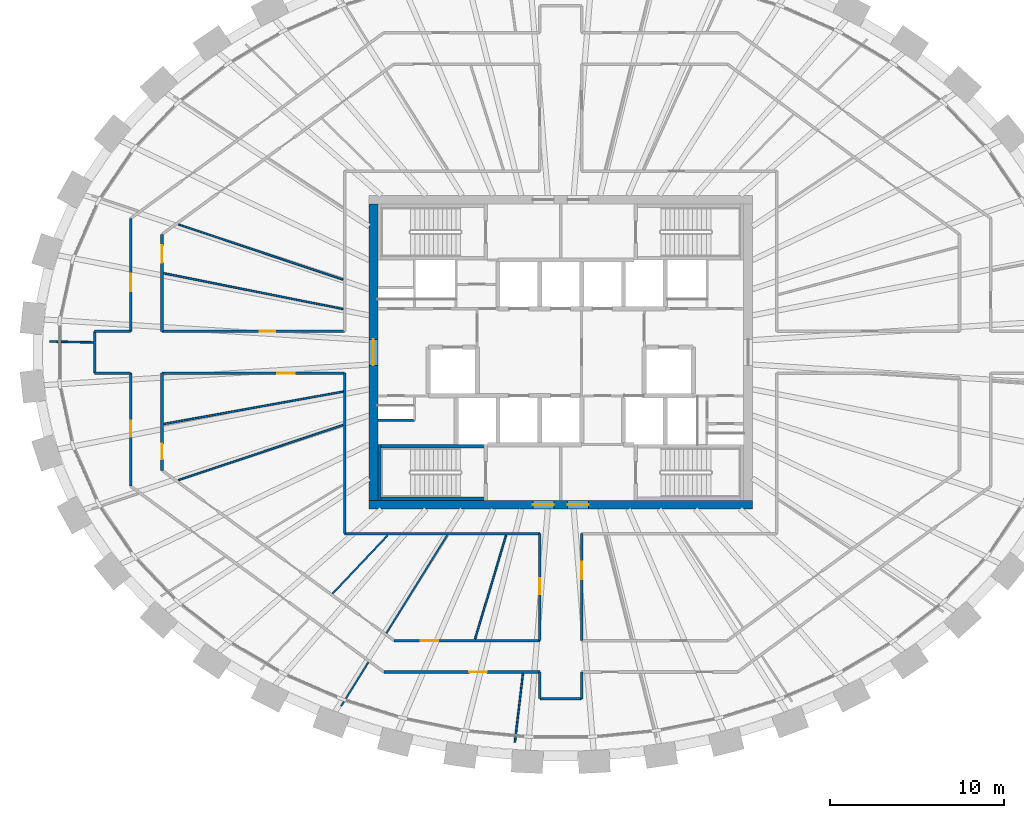
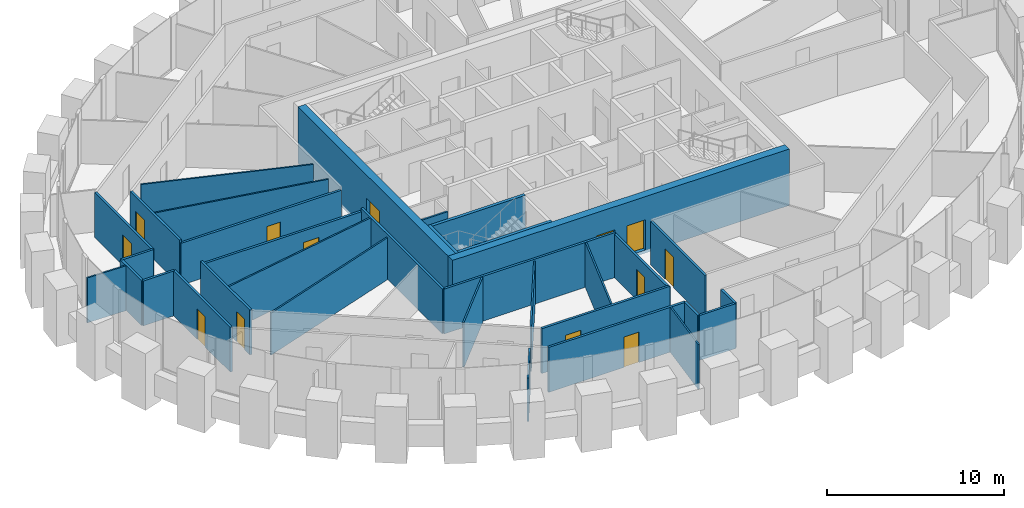
# One storey, part 6 of 12: 34 walls, 13 doors, 13 openings.
"""IFC4 building model written with IfcOpenShell, lengths in metres."""

import ifcopenshell
import ifcopenshell.guid

model = None  # the IFC model being written
_history = None  # IfcOwnerHistory: only IFC2X3 demands one
_inside = {}  # id of a spatial element -> (the spatial element, [elements in it])
_under = {}  # id of a project, library or spatial element -> (it, [spatial elements below it])
_declared = {}  # id of a project -> (the project, [libraries it declares])
_typed = {}  # id of a type object -> (the type object, [elements of that type])
_made_of = {}  # id of a material, layer set ... -> (it, [elements and type objects made of it])


def new_model(schema):
    """Start an empty IFC model of exactly this schema.

    Asked for "IFC4X3", IfcOpenShell would pick the latest addendum, in which some entities
    have other attributes; the version numbers below select the first issue.
    IFC2X3 requires an IfcOwnerHistory on every rooted entity: one is made here for all.
    """
    global model, _history
    if schema == "IFC4X3":
        model = ifcopenshell.file(schema_version=(4, 3, 0, 0))
    else:
        model = ifcopenshell.file(schema=schema)
    _inside.clear()
    _under.clear()
    _declared.clear()
    _typed.clear()
    _made_of.clear()
    _history = None
    if model.schema == "IFC2X3":
        org = make("IfcOrganization", Name="unknown")
        user = make(
            "IfcPersonAndOrganization",
            ThePerson=make("IfcPerson", FamilyName="unknown"),
            TheOrganization=org,
        )
        app = make(
            "IfcApplication",
            ApplicationDeveloper=org,
            Version="unknown",
            ApplicationFullName="unknown",
            ApplicationIdentifier="unknown",
        )
        _history = make(
            "IfcOwnerHistory",
            OwningUser=user,
            OwningApplication=app,
            ChangeAction="ADDED",
            CreationDate=0,
        )
    return model


def make(cls, **values):
    """One entity of the class cls with the attributes given. An attribute that is None is left unset."""
    return model.create_entity(
        cls, **{name: value for name, value in values.items() if value is not None}
    )


def rooted(cls, **values):
    """An entity with a GlobalId (a new one), such as an element, a storey or a relation."""
    return make(cls, GlobalId=ifcopenshell.guid.new(), OwnerHistory=_history, **values)


def si_unit(unit_type, name, prefix=None):
    """IfcSIUnit, for example si_unit("LENGTHUNIT", "METRE", prefix="MILLI")."""
    return make("IfcSIUnit", UnitType=unit_type, Prefix=prefix, Name=name)


def assignment(units):
    """IfcUnitAssignment: the units of a project."""
    return None if units is None else make("IfcUnitAssignment", Units=units)


def point(xyz):
    """IfcCartesianPoint."""
    return None if xyz is None else make("IfcCartesianPoint", Coordinates=xyz)


def direction(xyz):
    """IfcDirection."""
    return None if xyz is None else make("IfcDirection", DirectionRatios=xyz)


def frame(location, z_axis=None, x_axis=None):
    """IfcAxis2Placement3D, a coordinate frame: its origin and axes. An axis left out is left unset."""
    return make(
        "IfcAxis2Placement3D",
        Location=point(location),
        Axis=direction(z_axis),
        RefDirection=direction(x_axis),
    )


def frame_2d(location, x_axis=None):
    """IfcAxis2Placement2D, a coordinate frame in the plane: its origin and x axis."""
    return make(
        "IfcAxis2Placement2D", Location=point(location), RefDirection=direction(x_axis)
    )


def origin():
    """The frame at (0, 0, 0) with its axes left unset."""
    return frame((0.0, 0.0, 0.0))


def place(relative_to, where):
    """IfcLocalPlacement: puts the frame where relative to a parent placement (None: the world)."""
    return make(
        "IfcLocalPlacement", PlacementRelTo=relative_to, RelativePlacement=where
    )


def context(
    kind, dimensions, precision=None, world=None, true_north=None, identifier=None
):
    """IfcGeometricRepresentationContext, for example the 3D "Model" context."""
    return make(
        "IfcGeometricRepresentationContext",
        ContextIdentifier=identifier,
        ContextType=kind,
        CoordinateSpaceDimension=dimensions,
        Precision=precision,
        WorldCoordinateSystem=world,
        TrueNorth=true_north,
    )


def subcontext(parent, identifier, kind, view, scale=None):
    """IfcGeometricRepresentationSubContext, for example "Body" below "Model"."""
    return make(
        "IfcGeometricRepresentationSubContext",
        ContextIdentifier=identifier,
        ContextType=kind,
        ParentContext=parent,
        TargetScale=scale,
        TargetView=view,
    )


def project(units=None, contexts=None):
    """IfcProject with its units and contexts."""
    return rooted(
        "IfcProject",
        Name="project",
        RepresentationContexts=contexts,
        UnitsInContext=assignment(units),
    )


def spatial(cls, under=None, at=None, **own):
    """A site, building, storey or space (cls), placed at a placement, below another one or the project."""
    s = rooted(cls, ObjectPlacement=at, **own)
    if under is not None:
        _under.setdefault(under.id(), (under, []))[1].append(s)
    return s


def profile(cls, at=None, kind="AREA", **sizes):
    """A parametric profile (cls). Its sizes go by their IFC names, for example OverallWidth=200.0."""
    return make(cls, ProfileType=kind, Position=at, **sizes)


def rectangle(**sizes):
    """IfcRectangleProfileDef."""
    return profile("IfcRectangleProfileDef", **sizes)


def extrude(swept, where, along, depth):
    """IfcExtrudedAreaSolid: the profile swept, set in the frame where, extruded along a direction by depth."""
    return make(
        "IfcExtrudedAreaSolid",
        SweptArea=swept,
        Position=where,
        ExtrudedDirection=direction(along),
        Depth=depth,
    )


def shape(context_of_items, identifier, shape_type, items):
    """IfcShapeRepresentation: the items that make up one representation, for example the "Body"."""
    return make(
        "IfcShapeRepresentation",
        ContextOfItems=context_of_items,
        RepresentationIdentifier=identifier,
        RepresentationType=shape_type,
        Items=items,
    )


def source(mapping_origin, context_of_items, identifier, shape_type, items):
    """IfcRepresentationMap: a shape defined once, which mapped items show again and again."""
    return make(
        "IfcRepresentationMap",
        MappingOrigin=mapping_origin,
        MappedRepresentation=shape(context_of_items, identifier, shape_type, items),
    )


def transform(
    local_origin,
    x_axis=None,
    y_axis=None,
    z_axis=None,
    scale=None,
    scale2=None,
    scale3=None,
    uniform=True,
):
    """IfcCartesianTransformationOperator3D, or its non-uniform kind. x_axis, y_axis, z_axis: its Axis1, 2, 3."""
    if uniform:
        return make(
            "IfcCartesianTransformationOperator3D",
            Axis1=direction(x_axis),
            Axis2=direction(y_axis),
            LocalOrigin=point(local_origin),
            Scale=scale,
            Axis3=direction(z_axis),
        )
    return make(
        "IfcCartesianTransformationOperator3DnonUniform",
        Axis1=direction(x_axis),
        Axis2=direction(y_axis),
        LocalOrigin=point(local_origin),
        Scale=scale,
        Axis3=direction(z_axis),
        Scale2=scale2,
        Scale3=scale3,
    )


def mapped(mapping_source, mapping_target):
    """IfcMappedItem: shows the shape of a source again, moved by a transform."""
    return make(
        "IfcMappedItem", MappingSource=mapping_source, MappingTarget=mapping_target
    )


def material(Name=None, Category=None):
    """IfcMaterial."""
    return make("IfcMaterial", Name=Name, Category=Category)


def layer(
    of_material, thickness, ventilated=None, Name=None, Category=None, Priority=None
):
    """IfcMaterialLayer: one layer of a wall or slab, of a material (None: an air gap)."""
    return make(
        "IfcMaterialLayer",
        Material=of_material,
        LayerThickness=thickness,
        IsVentilated=ventilated,
        Name=Name,
        Category=Category,
        Priority=Priority,
    )


def layer_set(layers, Name=None):
    """IfcMaterialLayerSet."""
    return make("IfcMaterialLayerSet", MaterialLayers=layers, LayerSetName=Name)


def made_of(thing, what):
    """Note that an element or type object is made of a material, layer set ...; save() writes the relation."""
    if what is not None:
        _made_of.setdefault(what.id(), (what, []))[1].append(thing)
    return thing


def type_object(cls, material=None, **own):
    """A type object (cls), such as IfcWallType, which elements share."""
    return made_of(rooted(cls, **own), material)


def element(
    cls,
    number,
    at=None,
    inside=None,
    cuts=None,
    type_object=None,
    material=None,
    context=None,
    identifier="Body",
    shape_type=None,
    held_by="IfcProductDefinitionShape",
    body=None,
    shapes=None,
    **own,
):
    """One element of the class cls, such as IfcWall. Its Tag is "e" and its number.

    at: its placement. inside: the storey or other place that contains it. cuts: it is an
    opening in that element (IfcRelVoidsElement). A single representation is given by context,
    identifier, shape_type and body (its items); several are given by shapes. held_by: the class
    of the entity that holds the representations. save() writes the other relations.
    """
    e = rooted(cls, Tag="e%d" % number, ObjectPlacement=at, **own)
    if body is not None:
        shapes = [shape(context, identifier, shape_type, body)]
    if shapes is not None:
        e.Representation = make(held_by, Representations=shapes)
    if inside is not None:
        _inside.setdefault(inside.id(), (inside, []))[1].append(e)
    if cuts is not None:
        rooted(
            "IfcRelVoidsElement", RelatingBuildingElement=cuts, RelatedOpeningElement=e
        )
    if type_object is not None:
        _typed.setdefault(type_object.id(), (type_object, []))[1].append(e)
    return made_of(e, material)


def fill(opening, filler):
    """IfcRelFillsElement: the door or window that sits in an opening."""
    return rooted(
        "IfcRelFillsElement",
        RelatingOpeningElement=opening,
        RelatedBuildingElement=filler,
    )


def aggregate(whole, parts):
    """IfcRelAggregates: a whole, such as a stair, and the parts it consists of."""
    return rooted("IfcRelAggregates", RelatingObject=whole, RelatedObjects=parts)


def save(model, path):
    """Write the relations noted so far, then the file.

    IfcRelAggregates (storeys below a building ...), IfcRelContainedInSpatialStructure (elements
    in a storey), IfcRelDefinesByType, IfcRelAssociatesMaterial and IfcRelDeclares: one each for
    every whole, place, type object, material and project.
    """
    for whole, parts in _under.values():
        aggregate(whole, parts)
    for where, things in _inside.values():
        rooted(
            "IfcRelContainedInSpatialStructure",
            RelatedElements=things,
            RelatingStructure=where,
        )
    for kind, things in _typed.values():
        rooted("IfcRelDefinesByType", RelatedObjects=things, RelatingType=kind)
    for what, things in _made_of.values():
        rooted("IfcRelAssociatesMaterial", RelatedObjects=things, RelatingMaterial=what)
    for by, libraries in _declared.values():
        rooted("IfcRelDeclares", RelatingContext=by, RelatedDefinitions=libraries)
    model.write(path)


model = new_model("IFC4")

# Units and contexts
model_context = context("Model", 3, precision=1e-05, world=origin(), true_north=direction((0.0, 1.0)))
body_context = subcontext(model_context, "Body", "Model", "MODEL_VIEW")
ifc_project = project(units=[si_unit("LENGTHUNIT", "METRE"), si_unit("AREAUNIT", "SQUARE_METRE"), si_unit("VOLUMEUNIT", "CUBIC_METRE"), si_unit("PLANEANGLEUNIT", "RADIAN"), si_unit("MASSUNIT", "GRAM", prefix="KILO")], contexts=[model_context])

# Site, building, storey
site_placement = place(None, origin())
site = spatial("IfcSite", under=ifc_project, at=site_placement, CompositionType="ELEMENT")
building_placement = place(site_placement, origin())
building = spatial("IfcBuilding", under=site, at=building_placement, Name="Embergate Tower", CompositionType="ELEMENT")
storey_placement = place(building_placement, frame((0.0, 0.0, 313.0)))
storey = spatial("IfcBuildingStorey", under=building, at=storey_placement, Name="L73", CompositionType="ELEMENT", Elevation=313.0)

# Wall, openings, doors
ifc_material_1 = material(Name="Concrete C50", Category="concrete")
ifc_layer_1 = layer(ifc_material_1, 0.5)
ifc_layer_set_1 = layer_set([ifc_layer_1], Name="Concrete C50")
wall_type_1 = type_object("IfcWallType", Name="Core outer wall C50 500", PredefinedType="SHEAR", material=ifc_layer_set_1)
shared_shape_1 = source(origin(), body_context, "Body", "SweptSolid", [
    extrude(rectangle(XDim=22.0, YDim=0.5, at=frame_2d((11.0, 0.0))), origin(), (0.0, 0.0, 1.0), 3.89990234375),
])
wall_1_placement = place(storey_placement, frame((-11.0, -8.75, -0.199951171875), z_axis=(0.0, 0.0, 1.0), x_axis=(1.0, 0.0, 0.0)))
wall_1 = element("IfcWall", 1, at=wall_1_placement, inside=storey, type_object=wall_type_1, Name="CW-L73-S", PredefinedType="SHEAR", context=body_context, shape_type="MappedRepresentation", body=[
    mapped(shared_shape_1, transform((0.0, 0.0, 0.0))),
])
shared_shape_2 = source(origin(), body_context, "Body", "SweptSolid", [
    extrude(rectangle(XDim=1.199951171875, YDim=2.10009765625, at=frame_2d((0.60009765625, 1.050048828125))), frame((0.0, 0.260009765625, 0.0), z_axis=(0.0, -1.0, 0.0), x_axis=(1.0, 0.0, 0.0)), (0.0, 0.0, 1.0), 0.52001953125),
])
opening_1_placement = place(wall_1_placement, frame((9.39990234375, 0.0, 0.199951171875)))
opening_1 = element("IfcOpeningElement", 2, at=opening_1_placement, cuts=wall_1, Name="Opening IF-1", PredefinedType="OPENING", context=body_context, shape_type="MappedRepresentation", body=[
    mapped(shared_shape_2, transform((0.0, 0.0, 0.0))),
])
opening_2_placement = place(wall_1_placement, frame((11.39990234375, 0.0, 0.199951171875)))
opening_2 = element("IfcOpeningElement", 3, at=opening_2_placement, cuts=wall_1, Name="Opening IF-1", PredefinedType="OPENING", context=body_context, shape_type="MappedRepresentation", body=[
    mapped(shared_shape_2, transform((0.0, 0.0, 0.0))),
])
ifc_material_2 = material(Name="Escape fire door 1200")
door_type_1 = type_object("IfcDoorType", Name="Escape fire door 1200", OperationType="SINGLE_SWING_LEFT", PredefinedType="DOOR", material=ifc_material_2)
shared_shape_3 = source(origin(), body_context, "Body", "SweptSolid", [
    extrude(rectangle(XDim=1.199951171875, YDim=2.10009765625, at=frame_2d((0.60009765625, 1.050048828125))), frame((0.0, 0.02490234375, 0.0), z_axis=(0.0, -1.0, 0.0), x_axis=(1.0, 0.0, 0.0)), (0.0, 0.0, 1.0), 0.050048828125),
])
door_1_placement = place(opening_1_placement, origin())
door_1 = element("IfcDoor", 4, at=door_1_placement, inside=storey, type_object=door_type_1, Name="IF-1 door", OperationType="SINGLE_SWING_RIGHT", OverallHeight=2.10009765625, OverallWidth=1.199951171875, PredefinedType="DOOR", context=body_context, shape_type="MappedRepresentation", body=[
    mapped(shared_shape_3, transform((0.0, 0.0, 0.0))),
])
fill(opening_1, door_1)
door_2_placement = place(opening_2_placement, origin())
door_2 = element("IfcDoor", 5, at=door_2_placement, inside=storey, type_object=door_type_1, Name="IF-1 door", OperationType="SINGLE_SWING_LEFT", OverallHeight=2.10009765625, OverallWidth=1.199951171875, PredefinedType="DOOR", context=body_context, shape_type="MappedRepresentation", body=[
    mapped(shared_shape_3, transform((0.0, 0.0, 0.0))),
])
fill(opening_2, door_2)

# Wall, opening, door
shared_shape_4 = source(origin(), body_context, "Body", "SweptSolid", [
    extrude(rectangle(XDim=17.0, YDim=0.5, at=frame_2d((8.5, 0.0))), origin(), (0.0, 0.0, 1.0), 3.89990234375),
])
wall_2_placement = place(storey_placement, frame((-10.75, -8.5, -0.199951171875), z_axis=(0.0, 0.0, 1.0), x_axis=(0.0, 1.0, 0.0)))
wall_2 = element("IfcWall", 6, at=wall_2_placement, inside=storey, type_object=wall_type_1, Name="CW-L73-W", PredefinedType="SHEAR", context=body_context, shape_type="MappedRepresentation", body=[
    mapped(shared_shape_4, transform((0.0, 0.0, 0.0))),
])
shared_shape_5 = source(origin(), body_context, "Body", "SweptSolid", [
    extrude(rectangle(XDim=1.5, YDim=2.10009765625, at=frame_2d((0.75, 1.050048828125))), frame((0.0, 0.260009765625, 0.0), z_axis=(0.0, -1.0, 0.0), x_axis=(1.0, 0.0, 0.0)), (0.0, 0.0, 1.0), 0.52001953125),
])
opening_3_placement = place(wall_2_placement, frame((7.75, 0.0, 0.199951171875)))
opening_3 = element("IfcOpeningElement", 7, at=opening_3_placement, cuts=wall_2, Name="Opening IF-3", PredefinedType="OPENING", context=body_context, shape_type="MappedRepresentation", body=[
    mapped(shared_shape_5, transform((0.0, 0.0, 0.0))),
])
ifc_material_3 = material(Name="Lobby fire door pair 1500")
door_type_2 = type_object("IfcDoorType", Name="Lobby fire door pair 1500", OperationType="DOUBLE_DOOR_SINGLE_SWING", PredefinedType="DOOR", material=ifc_material_3)
shared_shape_6 = source(origin(), body_context, "Body", "SweptSolid", [
    extrude(rectangle(XDim=1.5, YDim=2.10009765625, at=frame_2d((0.75, 1.050048828125))), frame((0.0, 0.02490234375, 0.0), z_axis=(0.0, -1.0, 0.0), x_axis=(1.0, 0.0, 0.0)), (0.0, 0.0, 1.0), 0.050048828125),
])
door_3_placement = place(opening_3_placement, origin())
door_3 = element("IfcDoor", 8, at=door_3_placement, inside=storey, type_object=door_type_2, Name="IF-3 door", OperationType="DOUBLE_DOOR_SINGLE_SWING", OverallHeight=2.10009765625, OverallWidth=1.5, PredefinedType="DOOR", context=body_context, shape_type="MappedRepresentation", body=[
    mapped(shared_shape_6, transform((0.0, 0.0, 0.0))),
])
fill(opening_3, door_3)

# Walls
ifc_layer_2 = layer(ifc_material_1, 0.199951171875)
ifc_layer_set_2 = layer_set([ifc_layer_2], Name="Concrete C50")
wall_type_2 = type_object("IfcWallType", Name="Stair enclosure wall reinforced concrete 250", PredefinedType="SHEAR", material=ifc_layer_set_2)
shared_shape_7 = source(origin(), body_context, "Body", "SweptSolid", [
    extrude(rectangle(XDim=6.300048828125, YDim=0.199951171875, at=frame_2d((3.14990234375, 0.0))), origin(), (0.0, 0.0, 1.0), 3.699951171875),
])
wall_3_placement = place(storey_placement, frame((-10.5, -5.39990234375, 0.0), z_axis=(0.0, 0.0, 1.0), x_axis=(1.0, 0.0, 0.0)))
element("IfcWall", 9, at=wall_3_placement, inside=storey, type_object=wall_type_2, Name="SE-1 wall", PredefinedType="SHEAR", context=body_context, shape_type="MappedRepresentation", body=[
    mapped(shared_shape_7, transform((0.0, 0.0, 0.0))),
])
shared_shape_8 = source(origin(), body_context, "Body", "SweptSolid", [
    extrude(rectangle(XDim=3.199951171875, YDim=0.199951171875, at=frame_2d((1.60009765625, 0.0))), origin(), (0.0, 0.0, 1.0), 3.699951171875),
])
wall_4_placement = place(storey_placement, frame((-10.39990234375, -5.300048828125, 0.0), z_axis=(0.0, 0.0, 1.0), x_axis=(0.0, -1.0, 0.0)))
element("IfcWall", 10, at=wall_4_placement, inside=storey, type_object=wall_type_2, Name="SE-1 wall", PredefinedType="SHEAR", context=body_context, shape_type="MappedRepresentation", body=[
    mapped(shared_shape_8, transform((0.0, 0.0, 0.0))),
])
shared_shape_9 = source(origin(), body_context, "Body", "SweptSolid", [
    extrude(rectangle(XDim=6.298095703125, YDim=0.199951171875, at=frame_2d((3.14892578125, 0.0))), origin(), (0.0, 0.0, 1.0), 3.699951171875),
])
wall_5_placement = place(storey_placement, frame((-10.5, -8.39990234375, 0.0), z_axis=(0.0, 0.0, 1.0), x_axis=(1.0, 0.0, 0.0)))
element("IfcWall", 11, at=wall_5_placement, inside=storey, type_object=wall_type_2, Name="SE-1 wall", PredefinedType="SHEAR", context=body_context, shape_type="MappedRepresentation", body=[
    mapped(shared_shape_9, transform((0.0, 0.0, 0.0))),
])
ifc_material_4 = material(Name="Corridor wall dry-lined 150")
ifc_layer_3 = layer(ifc_material_4, 0.14990234375)
ifc_layer_set_3 = layer_set([ifc_layer_3], Name="Corridor wall dry-lined 150")
wall_type_3 = type_object("IfcWallType", Name="Corridor wall dry-lined 150", PredefinedType="PARTITIONING", material=ifc_layer_set_3)
shared_shape_10 = source(origin(), body_context, "Body", "SweptSolid", [
    extrude(rectangle(XDim=9.199951171875, YDim=0.14990234375, at=frame_2d((4.60009765625, 0.0))), origin(), (0.0, 0.0, 1.0), 3.10009765625),
])
wall_6_placement = place(storey_placement, frame((-12.39990234375, -1.199951171875, 0.0), z_axis=(0.0, 0.0, 1.0), x_axis=(0.0, -1.0, 0.0)))
element("IfcWall", 12, at=wall_6_placement, inside=storey, type_object=wall_type_3, Name="IP-2 wall", PredefinedType="PARTITIONING", context=body_context, shape_type="MappedRepresentation", body=[
    mapped(shared_shape_10, transform((0.0, 0.0, 0.0))),
])
shared_shape_11 = source(origin(), body_context, "Body", "SweptSolid", [
    extrude(rectangle(XDim=11.199951171875, YDim=0.14990234375, at=frame_2d((5.60009765625, 0.0))), origin(), (0.0, 0.0, 1.0), 3.10009765625),
])
wall_7_placement = place(storey_placement, frame((-12.39990234375, -10.39990234375, 0.0), z_axis=(0.0, 0.0, 1.0), x_axis=(1.0, 0.0, 0.0)))
element("IfcWall", 13, at=wall_7_placement, inside=storey, type_object=wall_type_3, Name="IP-2 wall", PredefinedType="PARTITIONING", context=body_context, shape_type="MappedRepresentation", body=[
    mapped(shared_shape_11, transform((0.0, 0.0, 0.0))),
])
shared_shape_12 = source(origin(), body_context, "Body", "SweptSolid", [
    extrude(rectangle(XDim=2.39990234375, YDim=0.14990234375, at=frame_2d((1.199951171875, 0.0))), origin(), (0.0, 0.0, 1.0), 3.10009765625),
])
for number, where, z_axis, x_axis, name in (
    (14, (1.199951171875, -19.8779296875, 0.0), (0.0, 0.0, 1.0), (-1.0, 0.0, 0.0), "IP-2 wall"),
    (15, (-26.740966796875, 1.199951171875, 0.0), (0.0, 0.0, 1.0), (0.0, -1.0, 0.0), "IP-2 wall"),
):
    element("IfcWall", number, at=place(storey_placement, frame(where, z_axis=z_axis, x_axis=x_axis)), inside=storey, type_object=wall_type_3, Name=name, PredefinedType="PARTITIONING", context=body_context, shape_type="MappedRepresentation", body=[
        mapped(shared_shape_12, transform((0.0, 0.0, 0.0))),
    ])
ifc_material_5 = material(Name="Core partition blockwork 120")
ifc_layer_4 = layer(ifc_material_5, 0.1201171875)
ifc_layer_set_4 = layer_set([ifc_layer_4], Name="Core partition blockwork 120")
wall_type_4 = type_object("IfcWallType", Name="Core partition blockwork 120", PredefinedType="PARTITIONING", material=ifc_layer_set_4)
shared_shape_13 = source(origin(), body_context, "Body", "SweptSolid", [
    extrude(rectangle(XDim=2.10009765625, YDim=0.1201171875, at=frame_2d((1.050048828125, 0.0))), origin(), (0.0, 0.0, 1.0), 3.10009765625),
])
wall_8_placement = place(storey_placement, frame((-10.5, -3.89990234375, 0.0), z_axis=(0.0, 0.0, 1.0), x_axis=(1.0, 0.0, 0.0)))
element("IfcWall", 16, at=wall_8_placement, inside=storey, type_object=wall_type_4, Name="IP-3 wall", PredefinedType="PARTITIONING", context=body_context, shape_type="MappedRepresentation", body=[
    mapped(shared_shape_13, transform((0.0, 0.0, 0.0))),
])

# Wall, opening, door
shared_shape_14 = source(origin(), body_context, "Body", "SweptSolid", [
    extrude(rectangle(XDim=8.945068359375, YDim=0.14990234375, at=frame_2d((4.47265625, 0.0))), origin(), (0.0, 0.0, 1.0), 3.10009765625),
])
wall_9_placement = place(storey_placement, frame((-1.199951171875, -18.341064453125, 0.0), z_axis=(0.0, 0.0, 1.0), x_axis=(-1.0, 0.0, 0.0)))
wall_9 = element("IfcWall", 17, at=wall_9_placement, inside=storey, type_object=wall_type_3, Name="IP-2 wall", PredefinedType="PARTITIONING", context=body_context, shape_type="MappedRepresentation", body=[
    mapped(shared_shape_14, transform((0.0, 0.0, 0.0))),
])
shared_shape_15 = source(origin(), body_context, "Body", "SweptSolid", [
    extrude(rectangle(XDim=1.0, YDim=2.10009765625, at=frame_2d((0.5, 1.050048828125))), frame((0.0, 0.0849609375, 0.0), z_axis=(0.0, -1.0, 0.0), x_axis=(1.0, 0.0, 0.0)), (0.0, 0.0, 1.0), 0.169921875),
])
opening_4_placement = place(wall_9_placement, frame((3.0458984375, 0.0, 0.0)))
opening_4 = element("IfcOpeningElement", 18, at=opening_4_placement, cuts=wall_9, Name="Opening ID-2", PredefinedType="OPENING", context=body_context, shape_type="MappedRepresentation", body=[
    mapped(shared_shape_15, transform((0.0, 0.0, 0.0))),
])
ifc_material_6 = material(Name="Interior door 1000")
door_type_3 = type_object("IfcDoorType", Name="Interior door 1000", OperationType="SINGLE_SWING_LEFT", PredefinedType="DOOR", material=ifc_material_6)
shared_shape_16 = source(origin(), body_context, "Body", "SweptSolid", [
    extrude(rectangle(XDim=1.0, YDim=2.10009765625, at=frame_2d((0.5, 1.050048828125))), frame((0.0, 0.02490234375, 0.0), z_axis=(0.0, -1.0, 0.0), x_axis=(1.0, 0.0, 0.0)), (0.0, 0.0, 1.0), 0.050048828125),
])
door_4_placement = place(opening_4_placement, origin())
door_4 = element("IfcDoor", 19, at=door_4_placement, inside=storey, type_object=door_type_3, Name="ID-2 door", OperationType="SINGLE_SWING_LEFT", OverallHeight=2.10009765625, OverallWidth=1.0, PredefinedType="DOOR", context=body_context, shape_type="MappedRepresentation", body=[
    mapped(shared_shape_16, transform((0.0, 0.0, 0.0))),
])
fill(opening_4, door_4)

# Walls
shared_shape_17 = source(origin(), body_context, "Body", "SweptSolid", [
    extrude(rectangle(XDim=1.536865234375, YDim=0.14990234375, at=frame_2d((0.7685546875, 0.0))), origin(), (0.0, 0.0, 1.0), 3.10009765625),
])
for number, where, z_axis, x_axis, name in (
    (20, (1.199951171875, -18.341064453125, 0.0), (0.0, 0.0, 1.0), (0.0, -1.0, 0.0), "IP-2 wall"),
    (21, (-1.199951171875, -19.8779296875, 0.0), (0.0, 0.0, 1.0), (0.0, 1.0, 0.0), "IP-2 wall"),
):
    element("IfcWall", number, at=place(storey_placement, frame(where, z_axis=z_axis, x_axis=x_axis)), inside=storey, type_object=wall_type_3, Name=name, PredefinedType="PARTITIONING", context=body_context, shape_type="MappedRepresentation", body=[
        mapped(shared_shape_17, transform((0.0, 0.0, 0.0))),
    ])

# Wall, opening, door
shared_shape_18 = source(origin(), body_context, "Body", "SweptSolid", [
    extrude(rectangle(XDim=8.35595703125, YDim=0.14990234375, at=frame_2d((4.177978515625, 0.0))), origin(), (0.0, 0.0, 1.0), 3.10009765625),
])
wall_10_placement = place(storey_placement, frame((-1.199951171875, -16.541015625, 0.0), z_axis=(0.0, 0.0, 1.0), x_axis=(-1.0, 0.0, 0.0)))
wall_10 = element("IfcWall", 22, at=wall_10_placement, inside=storey, type_object=wall_type_3, Name="IP-2 wall", PredefinedType="PARTITIONING", context=body_context, shape_type="MappedRepresentation", body=[
    mapped(shared_shape_18, transform((0.0, 0.0, 0.0))),
])
opening_5_placement = place(wall_10_placement, frame((5.819091796875, 0.0, 0.0)))
opening_5 = element("IfcOpeningElement", 23, at=opening_5_placement, cuts=wall_10, Name="Opening ID-2", PredefinedType="OPENING", context=body_context, shape_type="MappedRepresentation", body=[
    mapped(shared_shape_15, transform((0.0, 0.0, 0.0))),
])
door_5_placement = place(opening_5_placement, origin())
door_5 = element("IfcDoor", 24, at=door_5_placement, inside=storey, type_object=door_type_3, Name="ID-2 door", OperationType="SINGLE_SWING_LEFT", OverallHeight=2.10009765625, OverallWidth=1.0, PredefinedType="DOOR", context=body_context, shape_type="MappedRepresentation", body=[
    mapped(shared_shape_16, transform((0.0, 0.0, 0.0))),
])
fill(opening_5, door_5)

shared_shape_19 = source(origin(), body_context, "Body", "SweptSolid", [
    extrude(rectangle(XDim=6.14111328125, YDim=0.14990234375, at=frame_2d((3.070556640625, 0.0))), origin(), (0.0, 0.0, 1.0), 3.0),
])
wall_11_placement = place(storey_placement, frame((-1.199951171875, -16.541015625, 0.0), z_axis=(0.0, 0.0, 1.0), x_axis=(0.0, 1.0, 0.0)))
wall_11 = element("IfcWall", 25, at=wall_11_placement, inside=storey, type_object=wall_type_3, Name="IP-2 wall", PredefinedType="PARTITIONING", context=body_context, shape_type="MappedRepresentation", body=[
    mapped(shared_shape_19, transform((0.0, 0.0, 0.0))),
])
shared_shape_20 = source(origin(), body_context, "Body", "SweptSolid", [
    extrude(rectangle(XDim=0.89990234375, YDim=2.10009765625, at=frame_2d((0.449951171875, 1.050048828125))), frame((0.0, 0.0849609375, 0.0), z_axis=(0.0, -1.0, 0.0), x_axis=(1.0, 0.0, 0.0)), (0.0, 0.0, 1.0), 0.169921875),
])
opening_6_placement = place(wall_11_placement, frame((2.6669921875, 0.0, 0.0)))
opening_6 = element("IfcOpeningElement", 26, at=opening_6_placement, cuts=wall_11, Name="Opening IF-1c", PredefinedType="OPENING", context=body_context, shape_type="MappedRepresentation", body=[
    mapped(shared_shape_20, transform((0.0, 0.0, 0.0))),
])
ifc_material_7 = material(Name="Escape fire door 900")
door_type_4 = type_object("IfcDoorType", Name="Escape fire door 900", OperationType="SINGLE_SWING_LEFT", PredefinedType="DOOR", material=ifc_material_7)
shared_shape_21 = source(origin(), body_context, "Body", "SweptSolid", [
    extrude(rectangle(XDim=0.89990234375, YDim=2.10009765625, at=frame_2d((0.449951171875, 1.050048828125))), frame((0.0, 0.02490234375, 0.0), z_axis=(0.0, -1.0, 0.0), x_axis=(1.0, 0.0, 0.0)), (0.0, 0.0, 1.0), 0.050048828125),
])
door_6_placement = place(opening_6_placement, origin())
door_6 = element("IfcDoor", 27, at=door_6_placement, inside=storey, type_object=door_type_4, Name="IF-1 door", OperationType="SINGLE_SWING_RIGHT", OverallHeight=2.10009765625, OverallWidth=0.89990234375, PredefinedType="DOOR", context=body_context, shape_type="MappedRepresentation", body=[
    mapped(shared_shape_21, transform((0.0, 0.0, 0.0))),
])
fill(opening_6, door_6)

wall_12_placement = place(storey_placement, frame((1.199951171875, -10.39990234375, 0.0), z_axis=(0.0, 0.0, 1.0), x_axis=(0.0, -1.0, 0.0)))
wall_12 = element("IfcWall", 28, at=wall_12_placement, inside=storey, type_object=wall_type_3, Name="IP-2 wall", PredefinedType="PARTITIONING", context=body_context, shape_type="MappedRepresentation", body=[
    mapped(shared_shape_19, transform((0.0, 0.0, 0.0))),
])
opening_7_placement = place(wall_12_placement, frame((1.616943359375, 0.0, 0.0)))
opening_7 = element("IfcOpeningElement", 29, at=opening_7_placement, cuts=wall_12, Name="Opening ID-2", PredefinedType="OPENING", context=body_context, shape_type="MappedRepresentation", body=[
    mapped(shared_shape_15, transform((0.0, 0.0, 0.0))),
])
door_7_placement = place(opening_7_placement, origin())
door_7 = element("IfcDoor", 30, at=door_7_placement, inside=storey, type_object=door_type_3, Name="ID-2 door", OperationType="SINGLE_SWING_RIGHT", OverallHeight=2.10009765625, OverallWidth=1.0, PredefinedType="DOOR", context=body_context, shape_type="MappedRepresentation", body=[
    mapped(shared_shape_16, transform((0.0, 0.0, 0.0))),
])
fill(opening_7, door_7)

shared_shape_22 = source(origin(), body_context, "Body", "SweptSolid", [
    extrude(rectangle(XDim=6.47998046875, YDim=0.14990234375, at=frame_2d((3.239990234375, 0.0))), origin(), (0.0, 0.0, 1.0), 3.10009765625),
])
wall_13_placement = place(storey_placement, frame((-24.681884765625, 7.679931640625, 0.0), z_axis=(0.0, 0.0, 1.0), x_axis=(0.0, -1.0, 0.0)))
wall_13 = element("IfcWall", 31, at=wall_13_placement, inside=storey, type_object=wall_type_3, Name="IP-2 wall", PredefinedType="PARTITIONING", context=body_context, shape_type="MappedRepresentation", body=[
    mapped(shared_shape_22, transform((0.0, 0.0, 0.0))),
])
opening_8_placement = place(wall_13_placement, frame((3.17919921875, 0.0, 0.0)))
opening_8 = element("IfcOpeningElement", 32, at=opening_8_placement, cuts=wall_13, Name="Opening ID-2", PredefinedType="OPENING", context=body_context, shape_type="MappedRepresentation", body=[
    mapped(shared_shape_15, transform((0.0, 0.0, 0.0))),
])
door_8_placement = place(opening_8_placement, origin())
door_8 = element("IfcDoor", 33, at=door_8_placement, inside=storey, type_object=door_type_3, Name="ID-2 door", OperationType="SINGLE_SWING_RIGHT", OverallHeight=2.10009765625, OverallWidth=1.0, PredefinedType="DOOR", context=body_context, shape_type="MappedRepresentation", body=[
    mapped(shared_shape_16, transform((0.0, 0.0, 0.0))),
])
fill(opening_8, door_8)

wall_14_placement = place(storey_placement, frame((-24.681884765625, -7.679931640625, 0.0), z_axis=(0.0, 0.0, 1.0), x_axis=(0.0, 1.0, 0.0)))
wall_14 = element("IfcWall", 34, at=wall_14_placement, inside=storey, type_object=wall_type_3, Name="IP-2 wall", PredefinedType="PARTITIONING", context=body_context, shape_type="MappedRepresentation", body=[
    mapped(shared_shape_22, transform((0.0, 0.0, 0.0))),
])
opening_9_placement = place(wall_14_placement, frame((2.84033203125, 0.0, 0.0)))
opening_9 = element("IfcOpeningElement", 35, at=opening_9_placement, cuts=wall_14, Name="Opening IF-1c", PredefinedType="OPENING", context=body_context, shape_type="MappedRepresentation", body=[
    mapped(shared_shape_20, transform((0.0, 0.0, 0.0))),
])
door_9_placement = place(opening_9_placement, origin())
door_9 = element("IfcDoor", 36, at=door_9_placement, inside=storey, type_object=door_type_4, Name="IF-1 door", OperationType="SINGLE_SWING_LEFT", OverallHeight=2.10009765625, OverallWidth=0.89990234375, PredefinedType="DOOR", context=body_context, shape_type="MappedRepresentation", body=[
    mapped(shared_shape_21, transform((0.0, 0.0, 0.0))),
])
fill(opening_9, door_9)

# Walls
shared_shape_23 = source(origin(), body_context, "Body", "SweptSolid", [
    extrude(rectangle(XDim=2.05908203125, YDim=0.14990234375, at=frame_2d((1.029541015625, 0.0))), origin(), (0.0, 0.0, 1.0), 3.10009765625),
])
for number, where, z_axis, x_axis, name in (
    (37, (-24.681884765625, 1.199951171875, 0.0), (0.0, 0.0, 1.0), (-1.0, 0.0, 0.0), "IP-2 wall"),
    (38, (-24.681884765625, -1.199951171875, 0.0), (0.0, 0.0, 1.0), (-1.0, 0.0, 0.0), "IP-2 wall"),
):
    element("IfcWall", number, at=place(storey_placement, frame(where, z_axis=z_axis, x_axis=x_axis)), inside=storey, type_object=wall_type_3, Name=name, PredefinedType="PARTITIONING", context=body_context, shape_type="MappedRepresentation", body=[
        mapped(shared_shape_23, transform((0.0, 0.0, 0.0))),
    ])

# Wall, opening, door
shared_shape_24 = source(origin(), body_context, "Body", "SweptSolid", [
    extrude(rectangle(XDim=5.568115234375, YDim=0.14990234375, at=frame_2d((2.7841796875, 0.0))), origin(), (0.0, 0.0, 1.0), 3.10009765625),
])
wall_15_placement = place(storey_placement, frame((-22.882080078125, -1.199951171875, 0.0), z_axis=(0.0, 0.0, 1.0), x_axis=(0.0, -1.0, 0.0)))
wall_15 = element("IfcWall", 39, at=wall_15_placement, inside=storey, type_object=wall_type_3, Name="IP-2 wall", PredefinedType="PARTITIONING", context=body_context, shape_type="MappedRepresentation", body=[
    mapped(shared_shape_24, transform((0.0, 0.0, 0.0))),
])
opening_10_placement = place(wall_15_placement, frame((4.049072265625, 0.0, 0.0)))
opening_10 = element("IfcOpeningElement", 40, at=opening_10_placement, cuts=wall_15, Name="Opening IF-1c", PredefinedType="OPENING", context=body_context, shape_type="MappedRepresentation", body=[
    mapped(shared_shape_20, transform((0.0, 0.0, 0.0))),
])
door_10_placement = place(opening_10_placement, origin())
door_10 = element("IfcDoor", 41, at=door_10_placement, inside=storey, type_object=door_type_4, Name="IF-1 door", OperationType="SINGLE_SWING_LEFT", OverallHeight=2.10009765625, OverallWidth=0.89990234375, PredefinedType="DOOR", context=body_context, shape_type="MappedRepresentation", body=[
    mapped(shared_shape_21, transform((0.0, 0.0, 0.0))),
])
fill(opening_10, door_10)

wall_16_placement = place(storey_placement, frame((-22.882080078125, 6.76806640625, 0.0), z_axis=(0.0, 0.0, 1.0), x_axis=(0.0, -1.0, 0.0)))
wall_16 = element("IfcWall", 42, at=wall_16_placement, inside=storey, type_object=wall_type_3, Name="IP-2 wall", PredefinedType="PARTITIONING", context=body_context, shape_type="MappedRepresentation", body=[
    mapped(shared_shape_24, transform((0.0, 0.0, 0.0))),
])
opening_11_placement = place(wall_16_placement, frame((0.626220703125, 0.0, 0.0)))
opening_11 = element("IfcOpeningElement", 43, at=opening_11_placement, cuts=wall_16, Name="Opening ID-2", PredefinedType="OPENING", context=body_context, shape_type="MappedRepresentation", body=[
    mapped(shared_shape_15, transform((0.0, 0.0, 0.0))),
])
door_11_placement = place(opening_11_placement, origin())
door_11 = element("IfcDoor", 44, at=door_11_placement, inside=storey, type_object=door_type_3, Name="ID-2 door", OperationType="SINGLE_SWING_LEFT", OverallHeight=2.10009765625, OverallWidth=1.0, PredefinedType="DOOR", context=body_context, shape_type="MappedRepresentation", body=[
    mapped(shared_shape_16, transform((0.0, 0.0, 0.0))),
])
fill(opening_11, door_11)

# Walls
ifc_material_8 = material(Name="Partition dry-lined 100")
ifc_layer_5 = layer(ifc_material_8, 0.10009765625)
ifc_layer_set_5 = layer_set([ifc_layer_5], Name="Partition dry-lined 100")
wall_type_5 = type_object("IfcWallType", Name="Partition dry-lined 100", PredefinedType="PARTITIONING", material=ifc_layer_set_5)
shared_shape_25 = source(origin(), body_context, "Body", "SweptSolid", [
    extrude(rectangle(XDim=2.9609375, YDim=0.10009765625, at=frame_2d((1.48046875, 0.0))), origin(), (0.0, 0.0, 1.0), 3.0),
])
wall_17_placement = place(storey_placement, frame((-11.035888671875, -17.780029296875, 0.0), z_axis=(0.0, 0.0, 1.0), x_axis=(-0.527231490146, -0.849721693143, 0.0)))
element("IfcWall", 45, at=wall_17_placement, inside=storey, type_object=wall_type_5, Name="IP-1 wall", PredefinedType="PARTITIONING", context=body_context, shape_type="MappedRepresentation", body=[
    mapped(shared_shape_25, transform((0.0, 0.0, 0.0))),
])
shared_shape_26 = source(origin(), body_context, "Body", "SweptSolid", [
    extrude(rectangle(XDim=4.59375, YDim=0.10009765625, at=frame_2d((2.296875, 0.0))), origin(), (0.0, 0.0, 1.0), 3.10009765625),
])
wall_18_placement = place(storey_placement, frame((-9.93603515625, -10.509033203125, 0.0), z_axis=(0.0, 0.0, 1.0), x_axis=(-0.687032301419, -0.726626875919, 0.0)))
element("IfcWall", 46, at=wall_18_placement, inside=storey, type_object=wall_type_5, Name="IP-1 wall", PredefinedType="PARTITIONING", context=body_context, shape_type="MappedRepresentation", body=[
    mapped(shared_shape_26, transform((0.0, 0.0, 0.0))),
])
shared_shape_27 = source(origin(), body_context, "Body", "SweptSolid", [
    extrude(rectangle(XDim=6.612060546875, YDim=0.10009765625, at=frame_2d((3.30615234375, 0.0))), origin(), (0.0, 0.0, 1.0), 3.0),
])
wall_19_placement = place(storey_placement, frame((-6.51806640625, -10.5009765625, 0.0), z_axis=(0.0, 0.0, 1.0), x_axis=(-0.527344479033, -0.849651575902, 0.0)))
element("IfcWall", 47, at=wall_19_placement, inside=storey, type_object=wall_type_5, Name="IP-1 wall", PredefinedType="PARTITIONING", context=body_context, shape_type="MappedRepresentation", body=[
    mapped(shared_shape_27, transform((0.0, 0.0, 0.0))),
])
shared_shape_28 = source(origin(), body_context, "Body", "SweptSolid", [
    extrude(rectangle(XDim=3.9873046875, YDim=0.10009765625, at=frame_2d((1.99365234375, 0.0))), origin(), (0.0, 0.0, 1.0), 3.10009765625),
])
wall_20_placement = place(storey_placement, frame((-2.1669921875, -18.422119140625, 0.0), z_axis=(0.0, 0.0, 1.0), x_axis=(-0.116887430909, -0.9931451699, 0.0)))
element("IfcWall", 48, at=wall_20_placement, inside=storey, type_object=wall_type_5, Name="IP-1 wall", PredefinedType="PARTITIONING", context=body_context, shape_type="MappedRepresentation", body=[
    mapped(shared_shape_28, transform((0.0, 0.0, 0.0))),
])
shared_shape_29 = source(origin(), body_context, "Body", "SweptSolid", [
    extrude(rectangle(XDim=6.223388671875, YDim=0.10009765625, at=frame_2d((3.11181640625, 0.0))), origin(), (0.0, 0.0, 1.0), 3.10009765625),
])
wall_21_placement = place(storey_placement, frame((-3.134033203125, -10.489013671875, 0.0), z_axis=(0.0, 0.0, 1.0), x_axis=(-0.286332807649, -0.958130222498, 0.0)))
element("IfcWall", 49, at=wall_21_placement, inside=storey, type_object=wall_type_5, Name="IP-1 wall", PredefinedType="PARTITIONING", context=body_context, shape_type="MappedRepresentation", body=[
    mapped(shared_shape_29, transform((0.0, 0.0, 0.0))),
])
shared_shape_30 = source(origin(), body_context, "Body", "SweptSolid", [
    extrude(rectangle(XDim=2.513671875, YDim=0.10009765625, at=frame_2d((1.2568359375, 0.0))), origin(), (0.0, 0.0, 1.0), 3.10009765625),
])
wall_22_placement = place(storey_placement, frame((-26.81591796875, 0.569091796875, 0.0), z_axis=(0.0, 0.0, 1.0), x_axis=(-0.999777885745, 0.021075558695, 0.0)))
element("IfcWall", 50, at=wall_22_placement, inside=storey, type_object=wall_type_5, Name="IP-1 wall", PredefinedType="PARTITIONING", context=body_context, shape_type="MappedRepresentation", body=[
    mapped(shared_shape_30, transform((0.0, 0.0, 0.0))),
])
shared_shape_31 = source(origin(), body_context, "Body", "SweptSolid", [
    extrude(rectangle(XDim=10.48095703125, YDim=0.10009765625, at=frame_2d((5.240478515625, 0.0))), origin(), (0.0, 0.0, 1.0), 3.10009765625),
])
wall_23_placement = place(storey_placement, frame((-12.48388671875, -2.2548828125, 0.0), z_axis=(0.0, 0.0, 1.0), x_axis=(-0.984091651062, -0.177661538634, 0.0)))
element("IfcWall", 51, at=wall_23_placement, inside=storey, type_object=wall_type_5, Name="IP-1 wall", PredefinedType="PARTITIONING", context=body_context, shape_type="MappedRepresentation", body=[
    mapped(shared_shape_31, transform((0.0, 0.0, 0.0))),
])

# Wall, opening, door
shared_shape_32 = source(origin(), body_context, "Body", "SweptSolid", [
    extrude(rectangle(XDim=10.482177734375, YDim=0.14990234375, at=frame_2d((5.2412109375, 0.0))), origin(), (0.0, 0.0, 1.0), 2.89990234375),
])
wall_24_placement = place(storey_placement, frame((-12.39990234375, -1.199951171875, 0.0), z_axis=(0.0, 0.0, 1.0), x_axis=(-1.0, 0.0, 0.0)))
wall_24 = element("IfcWall", 52, at=wall_24_placement, inside=storey, type_object=wall_type_3, Name="IP-2 wall", PredefinedType="PARTITIONING", context=body_context, shape_type="MappedRepresentation", body=[
    mapped(shared_shape_32, transform((0.0, 0.0, 0.0))),
])
opening_12_placement = place(wall_24_placement, frame((2.8759765625, 0.0, 0.0)))
opening_12 = element("IfcOpeningElement", 53, at=opening_12_placement, cuts=wall_24, Name="Opening ID-2", PredefinedType="OPENING", context=body_context, shape_type="MappedRepresentation", body=[
    mapped(shared_shape_15, transform((0.0, 0.0, 0.0))),
])
door_12_placement = place(opening_12_placement, origin())
door_12 = element("IfcDoor", 54, at=door_12_placement, inside=storey, type_object=door_type_3, Name="ID-2 door", OperationType="SINGLE_SWING_LEFT", OverallHeight=2.10009765625, OverallWidth=1.0, PredefinedType="DOOR", context=body_context, shape_type="MappedRepresentation", body=[
    mapped(shared_shape_16, transform((0.0, 0.0, 0.0))),
])
fill(opening_12, door_12)

wall_25_placement = place(storey_placement, frame((-22.882080078125, 1.199951171875, 0.0), z_axis=(0.0, 0.0, 1.0), x_axis=(1.0, 0.0, 0.0)))
wall_25 = element("IfcWall", 55, at=wall_25_placement, inside=storey, type_object=wall_type_3, Name="IP-2 wall", PredefinedType="PARTITIONING", context=body_context, shape_type="MappedRepresentation", body=[
    mapped(shared_shape_32, transform((0.0, 0.0, 0.0))),
])
opening_13_placement = place(wall_25_placement, frame((5.599609375, 0.0, 0.0)))
opening_13 = element("IfcOpeningElement", 56, at=opening_13_placement, cuts=wall_25, Name="Opening IF-1c", PredefinedType="OPENING", context=body_context, shape_type="MappedRepresentation", body=[
    mapped(shared_shape_20, transform((0.0, 0.0, 0.0))),
])
door_13_placement = place(opening_13_placement, origin())
door_13 = element("IfcDoor", 57, at=door_13_placement, inside=storey, type_object=door_type_4, Name="IF-1 door", OperationType="SINGLE_SWING_RIGHT", OverallHeight=2.10009765625, OverallWidth=0.89990234375, PredefinedType="DOOR", context=body_context, shape_type="MappedRepresentation", body=[
    mapped(shared_shape_21, transform((0.0, 0.0, 0.0))),
])
fill(opening_13, door_13)

# Walls
shared_shape_33 = source(origin(), body_context, "Body", "SweptSolid", [
    extrude(rectangle(XDim=9.956298828125, YDim=0.10009765625, at=frame_2d((4.97802734375, 0.0))), origin(), (0.0, 0.0, 1.0), 2.89990234375),
])
for number, where, z_axis, x_axis, name in (
    (58, (-12.490966796875, -4.177001953125, 0.0), (0.0, 0.0, 1.0), (-0.9483640382, -0.317183938826, 0.0), "IP-1 wall"),
    (59, (-12.490966796875, 4.177001953125, 0.0), (0.0, 0.0, 1.0), (-0.9483640382, 0.317183938826, 0.0), "IP-1 wall"),
):
    element("IfcWall", number, at=place(storey_placement, frame(where, z_axis=z_axis, x_axis=x_axis)), inside=storey, type_object=wall_type_5, Name=name, PredefinedType="PARTITIONING", context=body_context, shape_type="MappedRepresentation", body=[
        mapped(shared_shape_33, transform((0.0, 0.0, 0.0))),
    ])
shared_shape_34 = source(origin(), body_context, "Body", "SweptSolid", [
    extrude(rectangle(XDim=10.51416015625, YDim=0.10009765625, at=frame_2d((5.257080078125, 0.0))), origin(), (0.0, 0.0, 1.0), 2.89990234375),
])
wall_26_placement = place(storey_placement, frame((-12.485107421875, 2.485107421875, 0.0), z_axis=(0.0, 0.0, 1.0), x_axis=(-0.980770440584, 0.195164912001, 0.0)))
element("IfcWall", 60, at=wall_26_placement, inside=storey, type_object=wall_type_5, Name="IP-1 wall", PredefinedType="PARTITIONING", context=body_context, shape_type="MappedRepresentation", body=[
    mapped(shared_shape_34, transform((0.0, 0.0, 0.0))),
])

save(model, "model.ifc")
